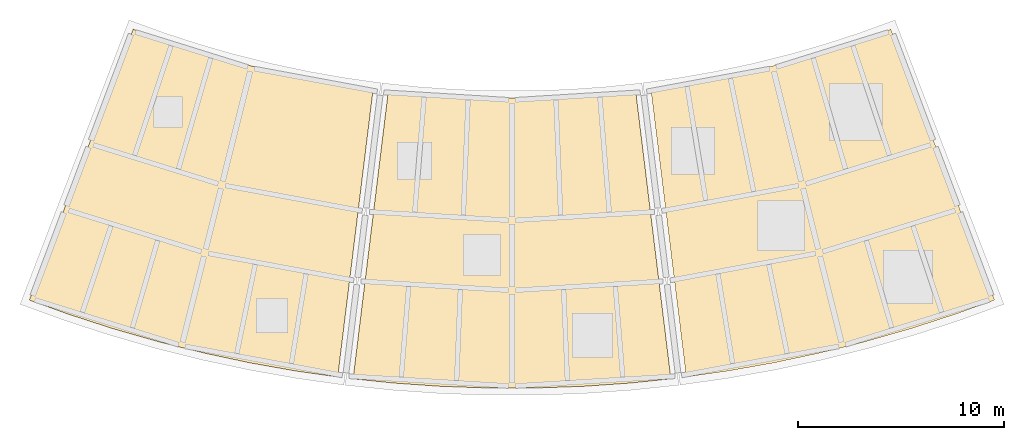
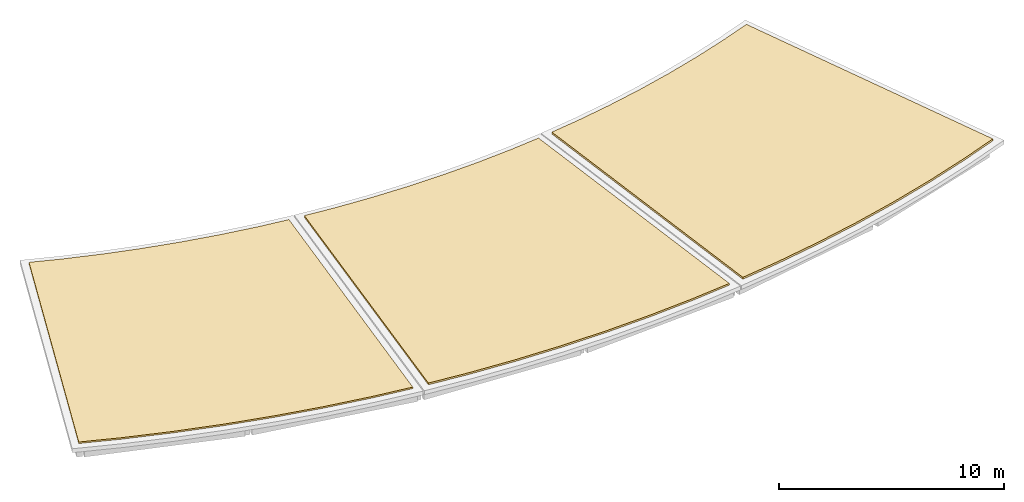
# One storey, part 3 of 3: 3 coverings.
"""IFC4 building model written with IfcOpenShell, lengths in metres."""

from ifc_helpers import new_model, si_unit, direction, frame, origin, place, context, subcontext, project, spatial, polyline, outline, extrude, material, layer, layer_set, type_object, element, save


model = new_model("IFC4")

# Units and contexts
model_context = context("Model", 3, precision=1e-05, world=origin(), true_north=direction((0.0, 1.0)))
body_context = subcontext(model_context, "Body", "Model", "MODEL_VIEW")
ifc_project = project(units=[si_unit("LENGTHUNIT", "METRE"), si_unit("AREAUNIT", "SQUARE_METRE"), si_unit("VOLUMEUNIT", "CUBIC_METRE"), si_unit("PLANEANGLEUNIT", "RADIAN"), si_unit("MASSUNIT", "GRAM", prefix="KILO")], contexts=[model_context])

# Site, building, storey
site_placement = place(None, origin())
site = spatial("IfcSite", under=ifc_project, at=site_placement, CompositionType="ELEMENT")
building_placement = place(site_placement, origin())
building = spatial("IfcBuilding", under=site, at=building_placement, Name="Caldaven Crescent School", CompositionType="ELEMENT")
storey_placement = place(building_placement, frame((0.0, 0.0, 23.1201171875)))
storey = spatial("IfcBuildingStorey", under=building, at=storey_placement, Name="Roof", CompositionType="ELEMENT", Elevation=23.1201171875)

# Coverings
ifc_material_1 = material(Name="Standing-seam zinc-copper roofing over rigid mineral insulation")
ifc_layer_1 = layer(ifc_material_1, 0.083984375)
ifc_layer_set_1 = layer_set([ifc_layer_1], Name="Standing-seam zinc-copper roofing over rigid mineral insulation")
covering_type_1 = type_object("IfcCoveringType", Name="COV-RFG2", PredefinedType="ROOFING", material=ifc_layer_set_1)
covering_1_placement = place(storey_placement, origin())
element("IfcCovering", 1, at=covering_1_placement, inside=storey, type_object=covering_type_1, Name="RFG-Roof-06", PredefinedType="ROOFING", context=body_context, shape_type="SweptSolid", body=[
    extrude(outline(polyline([(64.541015625, 33.834228515625), (69.58837890625, 46.999755859375), (70.96533203125, 46.4990234375), (70.976806640625, 46.4951171875), (72.697265625, 45.9365234375), (72.708984375, 45.93310546875), (74.447998046875, 45.4345703125), (74.459716796875, 45.431396484375), (76.21484375, 44.993896484375), (76.226806640625, 44.9912109375), (77.99609375, 44.61474609375), (78.008056640625, 44.612548828125), (79.78955078125, 44.2978515625), (79.801513671875, 44.2958984375), (81.252197265625, 44.091552734375), (79.528076171875, 30.097412109375), (77.585693359375, 30.37109375), (75.309326171875, 30.773193359375), (73.048095703125, 31.25390625), (70.80517578125, 31.813232421875), (68.5830078125, 32.4501953125), (66.384521484375, 33.1640625), (64.541015625, 33.834228515625)])), origin(), (0.0, 0.0, 1.0), 0.083984375),
])
ifc_material_2 = material(Name="Waterproof EPDM membrane and planted roof build-up")
ifc_layer_2 = layer(ifc_material_2, 0.095947265625)
ifc_layer_set_2 = layer_set([ifc_layer_2], Name="Waterproof EPDM membrane and planted roof build-up")
covering_type_2 = type_object("IfcCoveringType", Name="COV-RFG3", PredefinedType="ROOFING", material=ifc_layer_set_2)
covering_2_placement = place(storey_placement, origin())
element("IfcCovering", 2, at=covering_2_placement, inside=storey, type_object=covering_type_2, Name="RFG-Roof-07", PredefinedType="ROOFING", context=body_context, shape_type="SweptSolid", body=[
    extrude(outline(polyline([(80.277099609375, 30.005615234375), (81.989501953125, 44.001220703125), (83.446533203125, 43.848388671875), (83.458740234375, 43.847412109375), (85.26318359375, 43.7216796875), (85.275390625, 43.720947265625), (87.083251953125, 43.658203125), (87.095458984375, 43.657958984375), (88.904541015625, 43.657958984375), (88.916748046875, 43.658203125), (90.724609375, 43.720947265625), (90.73681640625, 43.7216796875), (92.541259765625, 43.847412109375), (92.553466796875, 43.848388671875), (94.010498046875, 44.001220703125), (95.722900390625, 30.005615234375), (93.772216796875, 29.80126953125), (91.466064453125, 29.640380859375), (89.15576171875, 29.56005859375), (86.84423828125, 29.56005859375), (84.533935546875, 29.640380859375), (82.227783203125, 29.80126953125), (80.277099609375, 30.005615234375)])), origin(), (0.0, 0.0, 1.0), 0.095947265625),
])
ifc_layer_3 = layer(ifc_material_2, 0.10791015625)
ifc_layer_set_3 = layer_set([ifc_layer_3], Name="Waterproof EPDM membrane and planted roof build-up")
covering_type_3 = type_object("IfcCoveringType", Name="COV-RFG4", PredefinedType="ROOFING", material=ifc_layer_set_3)
covering_3_placement = place(storey_placement, origin())
element("IfcCovering", 3, at=covering_3_placement, inside=storey, type_object=covering_type_3, Name="RFG-Roof-08", PredefinedType="ROOFING", context=body_context, shape_type="SweptSolid", body=[
    extrude(outline(polyline([(96.471923828125, 30.097412109375), (94.747802734375, 44.091552734375), (96.198486328125, 44.2958984375), (96.21044921875, 44.2978515625), (97.991943359375, 44.612548828125), (98.00390625, 44.61474609375), (99.773193359375, 44.9912109375), (99.78515625, 44.993896484375), (101.540283203125, 45.431396484375), (101.552001953125, 45.4345703125), (103.291015625, 45.93310546875), (103.302734375, 45.9365234375), (105.023193359375, 46.4951171875), (105.03466796875, 46.4990234375), (106.41162109375, 46.999755859375), (111.458984375, 33.834228515625), (109.615478515625, 33.1640625), (107.4169921875, 32.4501953125), (105.19482421875, 31.813232421875), (102.951904296875, 31.25390625), (100.690673828125, 30.773193359375), (98.414306640625, 30.37109375), (96.471923828125, 30.097412109375)])), origin(), (0.0, 0.0, 1.0), 0.10791015625),
])

save(model, "model.ifc")
